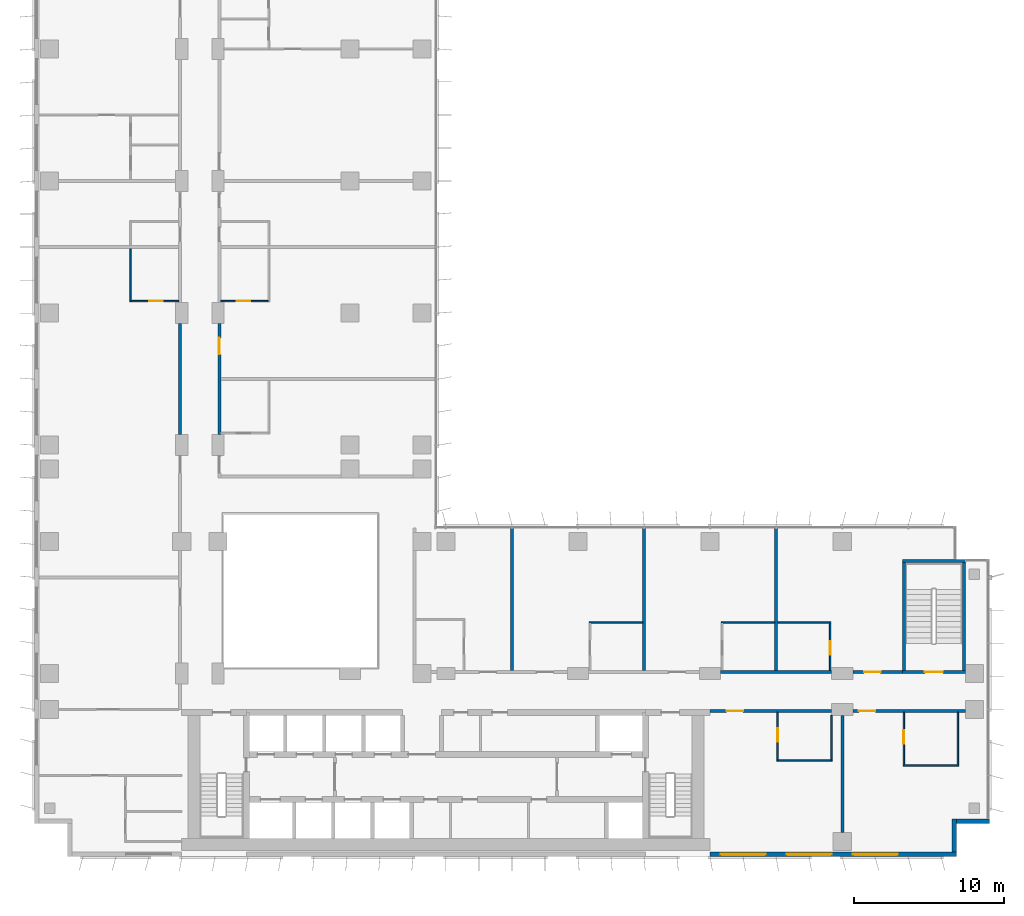
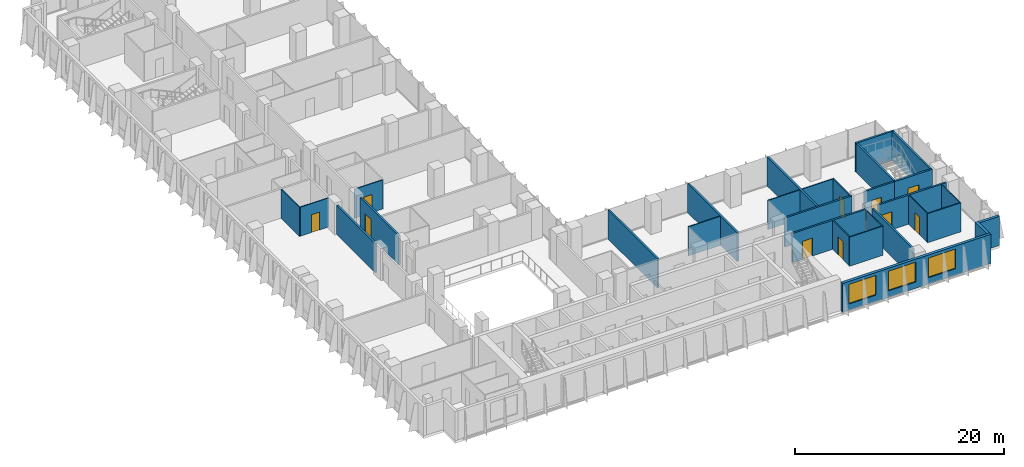
# One storey, part 14 of 22: 30 walls, 10 doors, 3 windows, 13 openings.
"""IFC4 building model written with IfcOpenShell, lengths in metres."""

from ifc_helpers import new_model, si_unit, direction, frame, frame_2d, origin, place, context, subcontext, project, spatial, rectangle, extrude, material, layer, layer_set, type_object, element, fill, save


model = new_model("IFC4")

# Units and contexts
model_context = context("Model", 3, precision=1e-05, world=origin(), true_north=direction((0.0, 1.0)))
body_context = subcontext(model_context, "Body", "Model", "MODEL_VIEW")
ifc_project = project(units=[si_unit("LENGTHUNIT", "METRE"), si_unit("AREAUNIT", "SQUARE_METRE"), si_unit("VOLUMEUNIT", "CUBIC_METRE"), si_unit("PLANEANGLEUNIT", "RADIAN"), si_unit("MASSUNIT", "GRAM", prefix="KILO")], contexts=[model_context])

# Site, building, storey
site_placement = place(None, origin())
site = spatial("IfcSite", under=ifc_project, at=site_placement, CompositionType="ELEMENT")
building_placement = place(site_placement, origin())
building = spatial("IfcBuilding", under=site, at=building_placement, Name="Kemantara Hotel Tower", CompositionType="ELEMENT")
storey_placement = place(building_placement, frame((0.0, 0.0, 122.199951171875)))
storey = spatial("IfcBuildingStorey", under=building, at=storey_placement, Name="L29", CompositionType="ELEMENT", Elevation=122.199951171875)

# Wall, openings, windows
ifc_material_1 = material(Name="Bronze anodised aluminium cladding on insulated steel stud wall", Category="steel")
ifc_layer_1 = layer(ifc_material_1, 0.300048828125)
ifc_layer_set_1 = layer_set([ifc_layer_1], Name="Bronze anodised aluminium cladding on insulated steel stud wall")
wall_type_1 = type_object("IfcWallType", Name="BRONZE METAL-CLAD EXTERNAL WALL 300", PredefinedType="STANDARD", material=ifc_layer_set_1)
wall_1_placement = place(storey_placement, frame((45.0, 0.14990234375, 0.0), z_axis=(0.0, 0.0, 1.0), x_axis=(1.0, 0.0, 0.0)))
wall_1 = element("IfcWall", 1, at=wall_1_placement, inside=storey, type_object=wall_type_1, Name="EXTERNAL WALL L29 T2-R07-3", PredefinedType="STANDARD", context=body_context, shape_type="SweptSolid", body=[
    extrude(rectangle(XDim=16.39990234375, YDim=0.300048828125, at=frame_2d((8.199951171875, 0.0))), origin(), (0.0, 0.0, 1.0), 3.400146484375),
])
opening_1_placement = place(wall_1_placement, frame((0.699951171875, 0.0, 0.75)))
opening_1 = element("IfcOpeningElement", 2, at=opening_1_placement, cuts=wall_1, Name="Opening W1", PredefinedType="OPENING", context=body_context, shape_type="SweptSolid", body=[
    extrude(rectangle(XDim=3.0, YDim=2.300048828125, at=frame_2d((1.5, 1.14990234375))), frame((0.0, 0.159912109375, 0.0), z_axis=(0.0, -1.0, 0.0), x_axis=(1.0, 0.0, 0.0)), (0.0, 0.0, 1.0), 0.320068359375),
])
opening_2_placement = place(wall_1_placement, frame((5.10009765625, 0.0, 0.75)))
opening_2 = element("IfcOpeningElement", 3, at=opening_2_placement, cuts=wall_1, Name="Opening W1", PredefinedType="OPENING", context=body_context, shape_type="SweptSolid", body=[
    extrude(rectangle(XDim=3.0, YDim=2.300048828125, at=frame_2d((1.5, 1.14990234375))), frame((0.0, 0.159912109375, 0.0), z_axis=(0.0, -1.0, 0.0), x_axis=(1.0, 0.0, 0.0)), (0.0, 0.0, 1.0), 0.320068359375),
])
opening_3_placement = place(wall_1_placement, frame((9.5, 0.0, 0.75)))
opening_3 = element("IfcOpeningElement", 4, at=opening_3_placement, cuts=wall_1, Name="Opening W1", PredefinedType="OPENING", context=body_context, shape_type="SweptSolid", body=[
    extrude(rectangle(XDim=3.0, YDim=2.300048828125, at=frame_2d((1.5, 1.14990234375))), frame((0.0, 0.159912109375, 0.0), z_axis=(0.0, -1.0, 0.0), x_axis=(1.0, 0.0, 0.0)), (0.0, 0.0, 1.0), 0.320068359375),
])
ifc_material_2 = material(Name="Low-E tinted double insulated glass in bronze anodised aluminium frame", Category="aluminium")
window_type = type_object("IfcWindowType", Name="CHICAGO WINDOW, TRIPLE PANEL 3000x2300", PartitioningType="TRIPLE_PANEL_VERTICAL", PredefinedType="WINDOW", material=ifc_material_2)
window_1_placement = place(opening_1_placement, origin())
window_1 = element("IfcWindow", 5, at=window_1_placement, inside=storey, type_object=window_type, Name="CHICAGO WINDOW L29 T2-R07-450", OverallHeight=2.300048828125, OverallWidth=3.0, PartitioningType="SINGLE_PANEL", PredefinedType="WINDOW", context=body_context, shape_type="SweptSolid", body=[
    extrude(rectangle(XDim=3.0, YDim=2.300048828125, at=frame_2d((1.5, 1.14990234375))), frame((0.0, 0.030029296875, 0.0), z_axis=(0.0, -1.0, 0.0), x_axis=(1.0, 0.0, 0.0)), (0.0, 0.0, 1.0), 0.06005859375),
])
fill(opening_1, window_1)
window_2_placement = place(opening_2_placement, origin())
window_2 = element("IfcWindow", 6, at=window_2_placement, inside=storey, type_object=window_type, Name="CHICAGO WINDOW L29 T2-R07-494", OverallHeight=2.300048828125, OverallWidth=3.0, PartitioningType="SINGLE_PANEL", PredefinedType="WINDOW", context=body_context, shape_type="SweptSolid", body=[
    extrude(rectangle(XDim=3.0, YDim=2.300048828125, at=frame_2d((1.5, 1.14990234375))), frame((0.0, 0.030029296875, 0.0), z_axis=(0.0, -1.0, 0.0), x_axis=(1.0, 0.0, 0.0)), (0.0, 0.0, 1.0), 0.06005859375),
])
fill(opening_2, window_2)
window_3_placement = place(opening_3_placement, origin())
window_3 = element("IfcWindow", 7, at=window_3_placement, inside=storey, type_object=window_type, Name="CHICAGO WINDOW L29 T2-R07-538", OverallHeight=2.300048828125, OverallWidth=3.0, PartitioningType="SINGLE_PANEL", PredefinedType="WINDOW", context=body_context, shape_type="SweptSolid", body=[
    extrude(rectangle(XDim=3.0, YDim=2.300048828125, at=frame_2d((1.5, 1.14990234375))), frame((0.0, 0.030029296875, 0.0), z_axis=(0.0, -1.0, 0.0), x_axis=(1.0, 0.0, 0.0)), (0.0, 0.0, 1.0), 0.06005859375),
])
fill(opening_3, window_3)

# Walls
wall_2_placement = place(storey_placement, frame((61.25, 0.300048828125, 0.0), z_axis=(0.0, 0.0, 1.0), x_axis=(0.0, 1.0, 0.0)))
element("IfcWall", 8, at=wall_2_placement, inside=storey, type_object=wall_type_1, Name="EXTERNAL WALL L29 T2-R08", PredefinedType="STANDARD", context=body_context, shape_type="SweptSolid", body=[
    extrude(rectangle(XDim=2.199951171875, YDim=0.300048828125, at=frame_2d((1.10009765625, 0.0))), origin(), (0.0, 0.0, 1.0), 3.400146484375),
])
wall_3_placement = place(storey_placement, frame((61.39990234375, 2.35009765625, 0.0), z_axis=(0.0, 0.0, 1.0), x_axis=(1.0, 0.0, 0.0)))
element("IfcWall", 9, at=wall_3_placement, inside=storey, type_object=wall_type_1, Name="EXTERNAL WALL L29 T2-R09", PredefinedType="STANDARD", context=body_context, shape_type="SweptSolid", body=[
    extrude(rectangle(XDim=2.2001953125, YDim=0.300048828125, at=frame_2d((1.10009765625, 0.0))), origin(), (0.0, 0.0, 1.0), 3.400146484375),
])

# Wall, opening, door
ifc_material_3 = material(Name="Gypsum board partition, steel studs and mineral wool, 200 mm", Category="steel")
ifc_layer_2 = layer(ifc_material_3, 0.199951171875)
ifc_layer_set_2 = layer_set([ifc_layer_2], Name="Gypsum board partition, steel studs and mineral wool, 200 mm")
wall_type_2 = type_object("IfcWallType", Name="CORRIDOR WALL 200", PredefinedType="PARTITIONING", material=ifc_layer_set_2)
wall_4_placement = place(storey_placement, frame((53.099853515625, 9.699951171875, 0.0), z_axis=(0.0, 0.0, 1.0), x_axis=(-1.0, 0.0, 0.0)))
wall_4 = element("IfcWall", 10, at=wall_4_placement, inside=storey, type_object=wall_type_2, Name="CORRIDOR WALL 200 001", PredefinedType="PARTITIONING", context=body_context, shape_type="SweptSolid", body=[
    extrude(rectangle(XDim=8.099853515625, YDim=0.199951171875, at=frame_2d((4.0498046875, 0.0))), origin(), (0.0, 0.0, 1.0), 3.400146484375),
])
opening_4_placement = place(wall_4_placement, frame((5.89990234375, 0.0, 0.0)))
opening_4 = element("IfcOpeningElement", 11, at=opening_4_placement, cuts=wall_4, Name="Opening F13-001", PredefinedType="OPENING", context=body_context, shape_type="SweptSolid", body=[
    extrude(rectangle(XDim=1.10009765625, YDim=2.10009765625, at=frame_2d((0.550048828125, 1.050048828125))), frame((0.0, 0.10986328125, 0.0), z_axis=(0.0, -1.0, 0.0), x_axis=(1.0, 0.0, 0.0)), (0.0, 0.0, 1.0), 0.219970703125),
])
ifc_material_4 = material(Name="Hardwood veneer door leaf with steel frame", Category="steel")
door_type_1 = type_object("IfcDoorType", Name="SUITE ENTRANCE DOOR 1100 X 2100 FD30S", OperationType="NOTDEFINED", PredefinedType="DOOR", material=ifc_material_4)
door_1_placement = place(opening_4_placement, origin())
door_1 = element("IfcDoor", 12, at=door_1_placement, inside=storey, type_object=door_type_1, Name="SUITE ENTRANCE DOOR F13-001", OperationType="SINGLE_SWING_RIGHT", OverallHeight=2.10009765625, OverallWidth=1.10009765625, PredefinedType="DOOR", context=body_context, shape_type="SweptSolid", body=[
    extrude(rectangle(XDim=1.10009765625, YDim=2.10009765625, at=frame_2d((0.550048828125, 1.050048828125))), frame((0.0, 0.02490234375, 0.0), z_axis=(0.0, -1.0, 0.0), x_axis=(1.0, 0.0, 0.0)), (0.0, 0.0, 1.0), 0.050048828125),
])
fill(opening_4, door_1)

wall_5_placement = place(storey_placement, frame((62.0, 9.699951171875, 0.0), z_axis=(0.0, 0.0, 1.0), x_axis=(-1.0, 0.0, 0.0)))
wall_5 = element("IfcWall", 13, at=wall_5_placement, inside=storey, type_object=wall_type_2, Name="CORRIDOR WALL 200 002", PredefinedType="PARTITIONING", context=body_context, shape_type="SweptSolid", body=[
    extrude(rectangle(XDim=7.5, YDim=0.199951171875, at=frame_2d((3.75, 0.0))), origin(), (0.0, 0.0, 1.0), 3.400146484375),
])
opening_5_placement = place(wall_5_placement, frame((6.0, 0.0, 0.0)))
opening_5 = element("IfcOpeningElement", 14, at=opening_5_placement, cuts=wall_5, Name="Opening F13-003", PredefinedType="OPENING", context=body_context, shape_type="SweptSolid", body=[
    extrude(rectangle(XDim=1.10009765625, YDim=2.10009765625, at=frame_2d((0.550048828125, 1.050048828125))), frame((0.0, 0.10986328125, 0.0), z_axis=(0.0, -1.0, 0.0), x_axis=(1.0, 0.0, 0.0)), (0.0, 0.0, 1.0), 0.219970703125),
])
door_2_placement = place(opening_5_placement, origin())
door_2 = element("IfcDoor", 15, at=door_2_placement, inside=storey, type_object=door_type_1, Name="SUITE ENTRANCE DOOR F13-003", OperationType="SINGLE_SWING_RIGHT", OverallHeight=2.10009765625, OverallWidth=1.10009765625, PredefinedType="DOOR", context=body_context, shape_type="SweptSolid", body=[
    extrude(rectangle(XDim=1.10009765625, YDim=2.10009765625, at=frame_2d((0.550048828125, 1.050048828125))), frame((0.0, 0.02490234375, 0.0), z_axis=(0.0, -1.0, 0.0), x_axis=(1.0, 0.0, 0.0)), (0.0, 0.0, 1.0), 0.050048828125),
])
fill(opening_5, door_2)

# Wall
wall_6_placement = place(storey_placement, frame((45.7001953125, 12.300048828125, 0.0), z_axis=(0.0, 0.0, 1.0), x_axis=(1.0, 0.0, 0.0)))
element("IfcWall", 16, at=wall_6_placement, inside=storey, type_object=wall_type_2, Name="CORRIDOR WALL 200 007", PredefinedType="PARTITIONING", context=body_context, shape_type="SweptSolid", body=[
    extrude(rectangle(XDim=7.399658203125, YDim=0.199951171875, at=frame_2d((3.69970703125, 0.0))), origin(), (0.0, 0.0, 1.0), 3.400146484375),
])

# Wall, opening, door
wall_7_placement = place(storey_placement, frame((54.5, 12.300048828125, 0.0), z_axis=(0.0, 0.0, 1.0), x_axis=(1.0, 0.0, 0.0)))
wall_7 = element("IfcWall", 17, at=wall_7_placement, inside=storey, type_object=wall_type_2, Name="CORRIDOR WALL 200 008", PredefinedType="PARTITIONING", context=body_context, shape_type="SweptSolid", body=[
    extrude(rectangle(XDim=3.300048828125, YDim=0.199951171875, at=frame_2d((1.64990234375, 0.0))), origin(), (0.0, 0.0, 1.0), 3.400146484375),
])
opening_6_placement = place(wall_7_placement, frame((0.75, 0.0, 0.0)))
opening_6 = element("IfcOpeningElement", 18, at=opening_6_placement, cuts=wall_7, Name="Opening F13-011", PredefinedType="OPENING", context=body_context, shape_type="SweptSolid", body=[
    extrude(rectangle(XDim=1.10009765625, YDim=2.10009765625, at=frame_2d((0.550048828125, 1.050048828125))), frame((0.0, 0.10986328125, 0.0), z_axis=(0.0, -1.0, 0.0), x_axis=(1.0, 0.0, 0.0)), (0.0, 0.0, 1.0), 0.219970703125),
])
door_3_placement = place(opening_6_placement, origin())
door_3 = element("IfcDoor", 19, at=door_3_placement, inside=storey, type_object=door_type_1, Name="SUITE ENTRANCE DOOR F13-011", OperationType="SINGLE_SWING_RIGHT", OverallHeight=2.10009765625, OverallWidth=1.10009765625, PredefinedType="DOOR", context=body_context, shape_type="SweptSolid", body=[
    extrude(rectangle(XDim=1.10009765625, YDim=2.10009765625, at=frame_2d((0.550048828125, 1.050048828125))), frame((0.0, 0.02490234375, 0.0), z_axis=(0.0, -1.0, 0.0), x_axis=(1.0, 0.0, 0.0)), (0.0, 0.0, 1.0), 0.050048828125),
])
fill(opening_6, door_3)

# Wall
wall_8_placement = place(storey_placement, frame((9.699951171875, 28.10009765625, 0.0), z_axis=(0.0, 0.0, 1.0), x_axis=(0.0, 1.0, 0.0)))
element("IfcWall", 20, at=wall_8_placement, inside=storey, type_object=wall_type_2, Name="CORRIDOR WALL 200 017", PredefinedType="PARTITIONING", context=body_context, shape_type="SweptSolid", body=[
    extrude(rectangle(XDim=7.39990234375, YDim=0.199951171875, at=frame_2d((3.699951171875, 0.0))), origin(), (0.0, 0.0, 1.0), 3.400146484375),
])

# Wall, opening, door
wall_9_placement = place(storey_placement, frame((12.300048828125, 35.5, 0.0), z_axis=(0.0, 0.0, 1.0), x_axis=(0.0, -1.0, 0.0)))
wall_9 = element("IfcWall", 21, at=wall_9_placement, inside=storey, type_object=wall_type_2, Name="CORRIDOR WALL 200 030", PredefinedType="PARTITIONING", context=body_context, shape_type="SweptSolid", body=[
    extrude(rectangle(XDim=7.39990234375, YDim=0.199951171875, at=frame_2d((3.699951171875, 0.0))), origin(), (0.0, 0.0, 1.0), 3.400146484375),
])
opening_7_placement = place(wall_9_placement, frame((0.949951171875, 0.0, 0.0)))
opening_7 = element("IfcOpeningElement", 22, at=opening_7_placement, cuts=wall_9, Name="Opening F13-032", PredefinedType="OPENING", context=body_context, shape_type="SweptSolid", body=[
    extrude(rectangle(XDim=1.10009765625, YDim=2.10009765625, at=frame_2d((0.550048828125, 1.050048828125))), frame((0.0, 0.10986328125, 0.0), z_axis=(0.0, -1.0, 0.0), x_axis=(1.0, 0.0, 0.0)), (0.0, 0.0, 1.0), 0.219970703125),
])
door_4_placement = place(opening_7_placement, origin())
door_4 = element("IfcDoor", 23, at=door_4_placement, inside=storey, type_object=door_type_1, Name="SUITE ENTRANCE DOOR F13-032", OperationType="SINGLE_SWING_RIGHT", OverallHeight=2.10009765625, OverallWidth=1.10009765625, PredefinedType="DOOR", context=body_context, shape_type="SweptSolid", body=[
    extrude(rectangle(XDim=1.10009765625, YDim=2.10009765625, at=frame_2d((0.550048828125, 1.050048828125))), frame((0.0, 0.02490234375, 0.0), z_axis=(0.0, -1.0, 0.0), x_axis=(1.0, 0.0, 0.0)), (0.0, 0.0, 1.0), 0.050048828125),
])
fill(opening_7, door_4)

ifc_material_5 = material(Name="Concrete fc 40 MPa", Category="concrete")
ifc_layer_3 = layer(ifc_material_5, 0.199951171875)
ifc_layer_set_3 = layer_set([ifc_layer_3], Name="Concrete fc 40 MPa")
wall_type_3 = type_object("IfcWallType", Name="Concrete stair wall 200 mm", PredefinedType="SHEAR", material=ifc_layer_set_3)
wall_10_placement = place(storey_placement, frame((57.800048828125, 12.300048828125, 0.0), z_axis=(0.0, 0.0, 1.0), x_axis=(1.0, 0.0, 0.0)))
wall_10 = element("IfcWall", 24, at=wall_10_placement, inside=storey, type_object=wall_type_3, Name="Stair ST3 enclosure wall with door", PredefinedType="SHEAR", context=body_context, shape_type="SweptSolid", body=[
    extrude(rectangle(XDim=4.199951171875, YDim=0.199951171875, at=frame_2d((2.10009765625, 0.0))), origin(), (0.0, 0.0, 1.0), 3.400146484375),
])
opening_8_placement = place(wall_10_placement, frame((1.5, 0.0, 0.0)))
opening_8 = element("IfcOpeningElement", 25, at=opening_8_placement, cuts=wall_10, Name="Opening ST3-C", PredefinedType="OPENING", context=body_context, shape_type="SweptSolid", body=[
    extrude(rectangle(XDim=1.199951171875, YDim=2.10009765625, at=frame_2d((0.60009765625, 1.050048828125))), frame((0.0, 0.10986328125, 0.0), z_axis=(0.0, -1.0, 0.0), x_axis=(1.0, 0.0, 0.0)), (0.0, 0.0, 1.0), 0.219970703125),
])
ifc_material_6 = material(Name="Steel fire door", Category="steel")
door_type_2 = type_object("IfcDoorType", Name="Fire door FD90 1200 x 2100", OperationType="NOTDEFINED", PredefinedType="DOOR", material=ifc_material_6)
door_5_placement = place(opening_8_placement, origin())
door_5 = element("IfcDoor", 26, at=door_5_placement, inside=storey, type_object=door_type_2, Name="Stair ST3 door", OperationType="SINGLE_SWING_RIGHT", OverallHeight=2.10009765625, OverallWidth=1.199951171875, PredefinedType="DOOR", context=body_context, shape_type="SweptSolid", body=[
    extrude(rectangle(XDim=1.199951171875, YDim=2.10009765625, at=frame_2d((0.60009765625, 1.050048828125))), frame((0.0, 0.02490234375, 0.0), z_axis=(0.0, -1.0, 0.0), x_axis=(1.0, 0.0, 0.0)), (0.0, 0.0, 1.0), 0.050048828125),
])
fill(opening_8, door_5)

# Walls
wall_11_placement = place(storey_placement, frame((57.800048828125, 19.699951171875, 0.0), z_axis=(0.0, 0.0, 1.0), x_axis=(1.0, 0.0, 0.0)))
element("IfcWall", 27, at=wall_11_placement, inside=storey, type_object=wall_type_3, Name="Stair ST3 enclosure wall N", PredefinedType="SHEAR", context=body_context, shape_type="SweptSolid", body=[
    extrude(rectangle(XDim=4.199951171875, YDim=0.199951171875, at=frame_2d((2.10009765625, 0.0))), origin(), (0.0, 0.0, 1.0), 3.400146484375),
])
for number, where, z_axis, x_axis, name in (
    (28, (57.89990234375, 12.39990234375, 0.0), (0.0, 0.0, 1.0), (0.0, 1.0, 0.0), "Stair ST3 enclosure wall W"),
    (29, (61.89990234375, 12.39990234375, 0.0), (0.0, 0.0, 1.0), (0.0, 1.0, 0.0), "Stair ST3 enclosure wall E"),
):
    element("IfcWall", number, at=place(storey_placement, frame(where, z_axis=z_axis, x_axis=x_axis)), inside=storey, type_object=wall_type_3, Name=name, PredefinedType="SHEAR", context=body_context, shape_type="SweptSolid", body=[
        extrude(rectangle(XDim=7.2001953125, YDim=0.199951171875, at=frame_2d((3.60009765625, 0.0))), origin(), (0.0, 0.0, 1.0), 3.400146484375),
    ])
ifc_layer_4 = layer(ifc_material_3, 0.199951171875)
ifc_layer_set_4 = layer_set([ifc_layer_4], Name="Gypsum board partition, steel studs and mineral wool, 200 mm")
wall_type_4 = type_object("IfcWallType", Name="GUEST ROOM PARTY WALL 200", PredefinedType="PARTITIONING", material=ifc_layer_set_4)
wall_12_placement = place(storey_placement, frame((53.800048828125, 1.60009765625, 0.0), z_axis=(0.0, 0.0, 1.0), x_axis=(0.0, 1.0, 0.0)))
element("IfcWall", 30, at=wall_12_placement, inside=storey, type_object=wall_type_4, Name="GUEST ROOM PARTY WALL 200 003", PredefinedType="PARTITIONING", context=body_context, shape_type="SweptSolid", body=[
    extrude(rectangle(XDim=7.7998046875, YDim=0.199951171875, at=frame_2d((3.89990234375, 0.0))), origin(), (0.0, 0.0, 1.0), 3.400146484375),
])
for number, where, z_axis, x_axis, name in (
    (31, (31.800048828125, 12.39990234375, 0.0), (0.0, 0.0, 1.0), (0.0, 1.0, 0.0), "GUEST ROOM PARTY WALL 200 011"),
    (32, (40.60009765625, 12.39990234375, 0.0), (0.0, 0.0, 1.0), (0.0, 1.0, 0.0), "GUEST ROOM PARTY WALL 200 012"),
    (33, (49.39990234375, 12.39990234375, 0.0), (0.0, 0.0, 1.0), (0.0, 1.0, 0.0), "GUEST ROOM PARTY WALL 200 013"),
):
    element("IfcWall", number, at=place(storey_placement, frame(where, z_axis=z_axis, x_axis=x_axis)), inside=storey, type_object=wall_type_4, Name=name, PredefinedType="PARTITIONING", context=body_context, shape_type="SweptSolid", body=[
        extrude(rectangle(XDim=9.47021484375, YDim=0.199951171875, at=frame_2d((4.735107421875, 0.0))), origin(), (0.0, 0.0, 1.0), 3.400146484375),
    ])
ifc_material_7 = material(Name="Gypsum board partition on steel studs, 100 mm", Category="steel")
ifc_layer_5 = layer(ifc_material_7, 0.10009765625)
ifc_layer_set_5 = layer_set([ifc_layer_5], Name="Gypsum board partition on steel studs, 100 mm")
wall_type_5 = type_object("IfcWallType", Name="ROOM PARTITION 100", PredefinedType="PARTITIONING", material=ifc_layer_set_5)
wall_13_placement = place(storey_placement, frame((49.449951171875, 6.39990234375, 0.0), z_axis=(0.0, 0.0, 1.0), x_axis=(1.0, 0.0, 0.0)))
element("IfcWall", 34, at=wall_13_placement, inside=storey, type_object=wall_type_5, Name="ROOM PARTITION 100 041", PredefinedType="PARTITIONING", context=body_context, shape_type="SweptSolid", body=[
    extrude(rectangle(XDim=3.699951171875, YDim=0.10009765625, at=frame_2d((1.85009765625, 0.0))), origin(), (0.0, 0.0, 1.0), 3.400146484375),
])

# Wall, opening, door
wall_14_placement = place(storey_placement, frame((49.5, 9.60009765625, 0.0), z_axis=(0.0, 0.0, 1.0), x_axis=(0.0, -1.0, 0.0)))
wall_14 = element("IfcWall", 35, at=wall_14_placement, inside=storey, type_object=wall_type_5, Name="ROOM PARTITION 100 042", PredefinedType="PARTITIONING", context=body_context, shape_type="SweptSolid", body=[
    extrude(rectangle(XDim=3.150146484375, YDim=0.10009765625, at=frame_2d((1.5751953125, 0.0))), origin(), (0.0, 0.0, 1.0), 3.400146484375),
])
opening_9_placement = place(wall_14_placement, frame((1.050048828125, 0.0, 0.0)))
opening_9 = element("IfcOpeningElement", 36, at=opening_9_placement, cuts=wall_14, Name="Opening F13-002", PredefinedType="OPENING", context=body_context, shape_type="SweptSolid", body=[
    extrude(rectangle(XDim=0.89990234375, YDim=2.10009765625, at=frame_2d((0.449951171875, 1.050048828125))), frame((0.0, 0.06005859375, 0.0), z_axis=(0.0, -1.0, 0.0), x_axis=(1.0, 0.0, 0.0)), (0.0, 0.0, 1.0), 0.1201171875),
])
door_type_3 = type_object("IfcDoorType", Name="BATHROOM DOOR 900 X 2100", OperationType="NOTDEFINED", PredefinedType="DOOR", material=ifc_material_4)
door_6_placement = place(opening_9_placement, origin())
door_6 = element("IfcDoor", 37, at=door_6_placement, inside=storey, type_object=door_type_3, Name="BATHROOM DOOR F13-002", OperationType="SINGLE_SWING_LEFT", OverallHeight=2.10009765625, OverallWidth=0.89990234375, PredefinedType="DOOR", context=body_context, shape_type="SweptSolid", body=[
    extrude(rectangle(XDim=0.89990234375, YDim=2.10009765625, at=frame_2d((0.449951171875, 1.050048828125))), frame((0.0, 0.02490234375, 0.0), z_axis=(0.0, -1.0, 0.0), x_axis=(1.0, 0.0, 0.0)), (0.0, 0.0, 1.0), 0.050048828125),
])
fill(opening_9, door_6)

# Walls
wall_15_placement = place(storey_placement, frame((53.10009765625, 6.449951171875, 0.0), z_axis=(0.0, 0.0, 1.0), x_axis=(0.0, 1.0, 0.0)))
element("IfcWall", 38, at=wall_15_placement, inside=storey, type_object=wall_type_5, Name="ROOM PARTITION 100 043", PredefinedType="PARTITIONING", context=body_context, shape_type="SweptSolid", body=[
    extrude(rectangle(XDim=2.949951171875, YDim=0.10009765625, at=frame_2d((1.47509765625, 0.0))), origin(), (0.0, 0.0, 1.0), 3.400146484375),
])
wall_16_placement = place(storey_placement, frame((57.85009765625, 6.050048828125, 0.0), z_axis=(0.0, 0.0, 1.0), x_axis=(1.0, 0.0, 0.0)))
element("IfcWall", 39, at=wall_16_placement, inside=storey, type_object=wall_type_5, Name="ROOM PARTITION 100 044", PredefinedType="PARTITIONING", context=body_context, shape_type="SweptSolid", body=[
    extrude(rectangle(XDim=3.699951171875, YDim=0.10009765625, at=frame_2d((1.85009765625, 0.0))), origin(), (0.0, 0.0, 1.0), 3.400146484375),
])

# Wall, opening, door
wall_17_placement = place(storey_placement, frame((57.89990234375, 9.60009765625, 0.0), z_axis=(0.0, 0.0, 1.0), x_axis=(0.0, -1.0, 0.0)))
wall_17 = element("IfcWall", 40, at=wall_17_placement, inside=storey, type_object=wall_type_5, Name="ROOM PARTITION 100 045", PredefinedType="PARTITIONING", context=body_context, shape_type="SweptSolid", body=[
    extrude(rectangle(XDim=3.5, YDim=0.10009765625, at=frame_2d((1.75, 0.0))), origin(), (0.0, 0.0, 1.0), 3.400146484375),
])
opening_10_placement = place(wall_17_placement, frame((1.199951171875, 0.0, 0.0)))
opening_10 = element("IfcOpeningElement", 41, at=opening_10_placement, cuts=wall_17, Name="Opening F13-004", PredefinedType="OPENING", context=body_context, shape_type="SweptSolid", body=[
    extrude(rectangle(XDim=0.89990234375, YDim=2.10009765625, at=frame_2d((0.449951171875, 1.050048828125))), frame((0.0, 0.06005859375, 0.0), z_axis=(0.0, -1.0, 0.0), x_axis=(1.0, 0.0, 0.0)), (0.0, 0.0, 1.0), 0.1201171875),
])
door_7_placement = place(opening_10_placement, origin())
door_7 = element("IfcDoor", 42, at=door_7_placement, inside=storey, type_object=door_type_3, Name="BATHROOM DOOR F13-004", OperationType="SINGLE_SWING_LEFT", OverallHeight=2.10009765625, OverallWidth=0.89990234375, PredefinedType="DOOR", context=body_context, shape_type="SweptSolid", body=[
    extrude(rectangle(XDim=0.89990234375, YDim=2.10009765625, at=frame_2d((0.449951171875, 1.050048828125))), frame((0.0, 0.02490234375, 0.0), z_axis=(0.0, -1.0, 0.0), x_axis=(1.0, 0.0, 0.0)), (0.0, 0.0, 1.0), 0.050048828125),
])
fill(opening_10, door_7)

# Walls
wall_18_placement = place(storey_placement, frame((61.5, 6.10009765625, 0.0), z_axis=(0.0, 0.0, 1.0), x_axis=(0.0, 1.0, 0.0)))
element("IfcWall", 43, at=wall_18_placement, inside=storey, type_object=wall_type_5, Name="ROOM PARTITION 100 046", PredefinedType="PARTITIONING", context=body_context, shape_type="SweptSolid", body=[
    extrude(rectangle(XDim=3.5, YDim=0.10009765625, at=frame_2d((1.75, 0.0))), origin(), (0.0, 0.0, 1.0), 3.400146484375),
])
for number, where, z_axis, x_axis, name in (
    (44, (36.949951171875, 15.60009765625, 0.0), (0.0, 0.0, 1.0), (1.0, 0.0, 0.0), "ROOM PARTITION 100 049"),
    (45, (45.75, 15.60009765625, 0.0), (0.0, 0.0, 1.0), (1.0, 0.0, 0.0), "ROOM PARTITION 100 050"),
    (46, (49.5, 15.60009765625, 0.0), (0.0, 0.0, 1.0), (1.0, 0.0, 0.0), "ROOM PARTITION 100 051"),
):
    element("IfcWall", number, at=place(storey_placement, frame(where, z_axis=z_axis, x_axis=x_axis)), inside=storey, type_object=wall_type_5, Name=name, PredefinedType="PARTITIONING", context=body_context, shape_type="SweptSolid", body=[
        extrude(rectangle(XDim=3.550048828125, YDim=0.10009765625, at=frame_2d((1.77490234375, 0.0))), origin(), (0.0, 0.0, 1.0), 3.400146484375),
    ])

# Wall, opening, door
wall_19_placement = place(storey_placement, frame((53.0, 12.39990234375, 0.0), z_axis=(0.0, 0.0, 1.0), x_axis=(0.0, 1.0, 0.0)))
wall_19 = element("IfcWall", 47, at=wall_19_placement, inside=storey, type_object=wall_type_5, Name="ROOM PARTITION 100 054", PredefinedType="PARTITIONING", context=body_context, shape_type="SweptSolid", body=[
    extrude(rectangle(XDim=3.150146484375, YDim=0.10009765625, at=frame_2d((1.5751953125, 0.0))), origin(), (0.0, 0.0, 1.0), 3.400146484375),
])
opening_11_placement = place(wall_19_placement, frame((1.050048828125, 0.0, 0.0)))
opening_11 = element("IfcOpeningElement", 48, at=opening_11_placement, cuts=wall_19, Name="Opening F13-012", PredefinedType="OPENING", context=body_context, shape_type="SweptSolid", body=[
    extrude(rectangle(XDim=0.89990234375, YDim=2.10009765625, at=frame_2d((0.449951171875, 1.050048828125))), frame((0.0, 0.06005859375, 0.0), z_axis=(0.0, -1.0, 0.0), x_axis=(1.0, 0.0, 0.0)), (0.0, 0.0, 1.0), 0.1201171875),
])
door_8_placement = place(opening_11_placement, origin())
door_8 = element("IfcDoor", 49, at=door_8_placement, inside=storey, type_object=door_type_3, Name="BATHROOM DOOR F13-012", OperationType="SINGLE_SWING_LEFT", OverallHeight=2.10009765625, OverallWidth=0.89990234375, PredefinedType="DOOR", context=body_context, shape_type="SweptSolid", body=[
    extrude(rectangle(XDim=0.89990234375, YDim=2.10009765625, at=frame_2d((0.449951171875, 1.050048828125))), frame((0.0, 0.02490234375, 0.0), z_axis=(0.0, -1.0, 0.0), x_axis=(1.0, 0.0, 0.0)), (0.0, 0.0, 1.0), 0.050048828125),
])
fill(opening_11, door_8)

# Wall
wall_20_placement = place(storey_placement, frame((6.39990234375, 36.949951171875, 0.0), z_axis=(0.0, 0.0, 1.0), x_axis=(0.0, 1.0, 0.0)))
element("IfcWall", 50, at=wall_20_placement, inside=storey, type_object=wall_type_5, Name="ROOM PARTITION 100 061", PredefinedType="PARTITIONING", context=body_context, shape_type="SweptSolid", body=[
    extrude(rectangle(XDim=3.550048828125, YDim=0.10009765625, at=frame_2d((1.77490234375, 0.0))), origin(), (0.0, 0.0, 1.0), 3.400146484375),
])

# Wall, opening, door
wall_21_placement = place(storey_placement, frame((6.449951171875, 37.0, 0.0), z_axis=(0.0, 0.0, 1.0), x_axis=(1.0, 0.0, 0.0)))
wall_21 = element("IfcWall", 51, at=wall_21_placement, inside=storey, type_object=wall_type_5, Name="ROOM PARTITION 100 065", PredefinedType="PARTITIONING", context=body_context, shape_type="SweptSolid", body=[
    extrude(rectangle(XDim=3.150146484375, YDim=0.10009765625, at=frame_2d((1.5751953125, 0.0))), origin(), (0.0, 0.0, 1.0), 3.400146484375),
])
opening_12_placement = place(wall_21_placement, frame((1.199951171875, 0.0, 0.0)))
opening_12 = element("IfcOpeningElement", 52, at=opening_12_placement, cuts=wall_21, Name="Opening F13-019", PredefinedType="OPENING", context=body_context, shape_type="SweptSolid", body=[
    extrude(rectangle(XDim=0.89990234375, YDim=2.10009765625, at=frame_2d((0.449951171875, 1.050048828125))), frame((0.0, 0.06005859375, 0.0), z_axis=(0.0, -1.0, 0.0), x_axis=(1.0, 0.0, 0.0)), (0.0, 0.0, 1.0), 0.1201171875),
])
door_9_placement = place(opening_12_placement, origin())
door_9 = element("IfcDoor", 53, at=door_9_placement, inside=storey, type_object=door_type_3, Name="BATHROOM DOOR F13-019", OperationType="SINGLE_SWING_RIGHT", OverallHeight=2.10009765625, OverallWidth=0.89990234375, PredefinedType="DOOR", context=body_context, shape_type="SweptSolid", body=[
    extrude(rectangle(XDim=0.89990234375, YDim=2.10009765625, at=frame_2d((0.449951171875, 1.050048828125))), frame((0.0, 0.02490234375, 0.0), z_axis=(0.0, -1.0, 0.0), x_axis=(1.0, 0.0, 0.0)), (0.0, 0.0, 1.0), 0.050048828125),
])
fill(opening_12, door_9)

wall_22_placement = place(storey_placement, frame((12.39990234375, 37.0, 0.0), z_axis=(0.0, 0.0, 1.0), x_axis=(1.0, 0.0, 0.0)))
wall_22 = element("IfcWall", 54, at=wall_22_placement, inside=storey, type_object=wall_type_5, Name="ROOM PARTITION 100 066", PredefinedType="PARTITIONING", context=body_context, shape_type="SweptSolid", body=[
    extrude(rectangle(XDim=3.150146484375, YDim=0.10009765625, at=frame_2d((1.5751953125, 0.0))), origin(), (0.0, 0.0, 1.0), 3.400146484375),
])
opening_13_placement = place(wall_22_placement, frame((1.050048828125, 0.0, 0.0)))
opening_13 = element("IfcOpeningElement", 55, at=opening_13_placement, cuts=wall_22, Name="Opening F13-033", PredefinedType="OPENING", context=body_context, shape_type="SweptSolid", body=[
    extrude(rectangle(XDim=0.89990234375, YDim=2.10009765625, at=frame_2d((0.449951171875, 1.050048828125))), frame((0.0, 0.06005859375, 0.0), z_axis=(0.0, -1.0, 0.0), x_axis=(1.0, 0.0, 0.0)), (0.0, 0.0, 1.0), 0.1201171875),
])
door_10_placement = place(opening_13_placement, origin())
door_10 = element("IfcDoor", 56, at=door_10_placement, inside=storey, type_object=door_type_3, Name="BATHROOM DOOR F13-033", OperationType="SINGLE_SWING_LEFT", OverallHeight=2.10009765625, OverallWidth=0.89990234375, PredefinedType="DOOR", context=body_context, shape_type="SweptSolid", body=[
    extrude(rectangle(XDim=0.89990234375, YDim=2.10009765625, at=frame_2d((0.449951171875, 1.050048828125))), frame((0.0, 0.02490234375, 0.0), z_axis=(0.0, -1.0, 0.0), x_axis=(1.0, 0.0, 0.0)), (0.0, 0.0, 1.0), 0.050048828125),
])
fill(opening_13, door_10)

save(model, "model.ifc")
